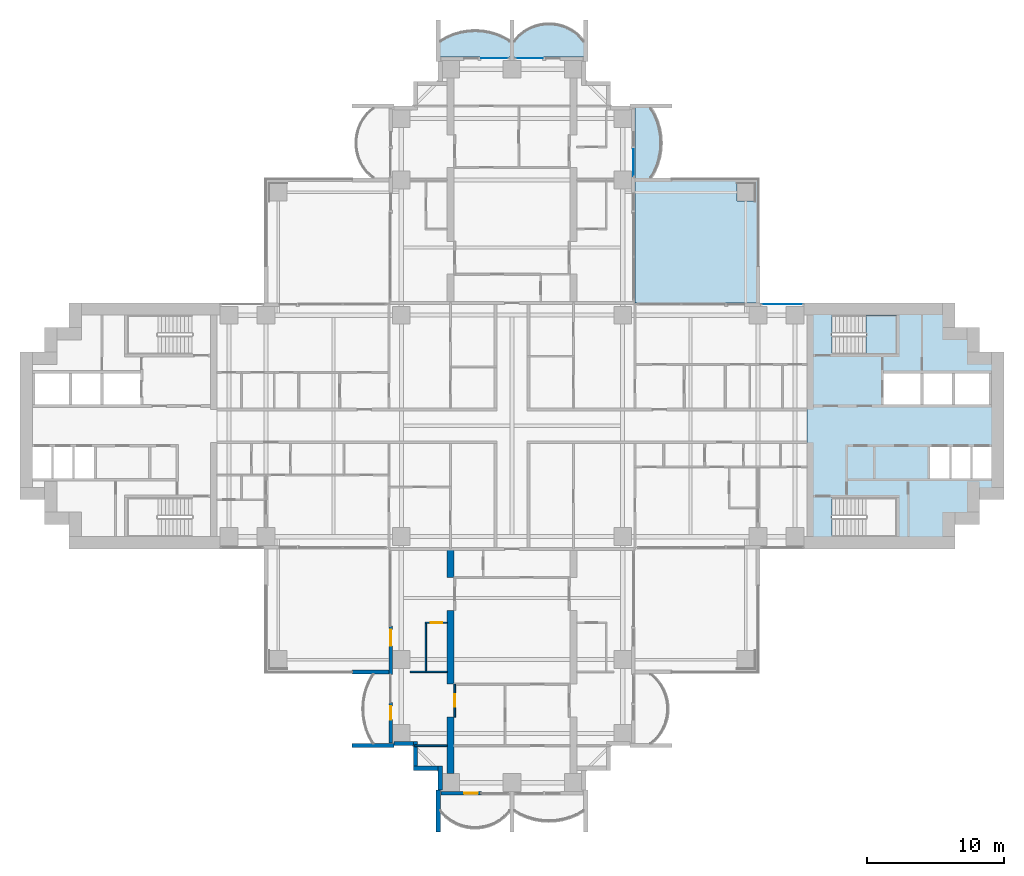
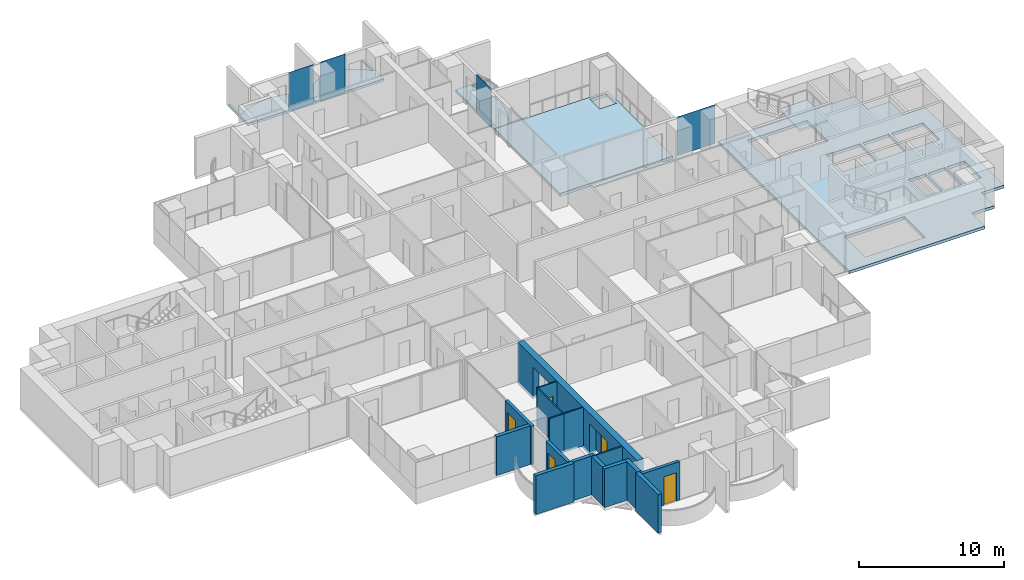
# One storey, part 9 of 21: 17 walls, 6 slabs, 5 doors, 4 plates, 5 openings, 5 elements without a shape of their own.
"""IFC4 building model written with IfcOpenShell, lengths in metres."""

from ifc_helpers import new_model, si_unit, direction, frame, frame_2d, origin, origin_2d, place, context, subcontext, project, spatial, polyline, rectangle, outline, extrude, material, layer, layer_set, material_profile, profile_set, type_object, element, fill, aggregate, save


model = new_model("IFC4")

# Units and contexts
model_context = context("Model", 3, precision=1e-05, world=origin(), true_north=direction((0.0, 1.0)))
body_context = subcontext(model_context, "Body", "Model", "MODEL_VIEW")
ifc_project = project(units=[si_unit("LENGTHUNIT", "METRE"), si_unit("AREAUNIT", "SQUARE_METRE"), si_unit("VOLUMEUNIT", "CUBIC_METRE"), si_unit("PLANEANGLEUNIT", "RADIAN"), si_unit("MASSUNIT", "GRAM", prefix="KILO")], contexts=[model_context])

# Site, building, storey
site_placement = place(None, origin())
site = spatial("IfcSite", under=ifc_project, at=site_placement, CompositionType="ELEMENT")
building_placement = place(site_placement, origin())
building = spatial("IfcBuilding", under=site, at=building_placement, Name="Perihelion Cross Residences", CompositionType="ELEMENT")
storey_placement = place(building_placement, frame((0.0, 0.0, 64.5)))
storey = spatial("IfcBuildingStorey", under=building, at=storey_placement, Name="L13", CompositionType="ELEMENT", Elevation=64.5)

# Slabs
ifc_material_1 = material(Name="Concrete C40/50", Category="concrete")
ifc_layer_1 = layer(ifc_material_1, 0.199951171875)
ifc_layer_set_1 = layer_set([ifc_layer_1], Name="Balcony slab 200")
slab_type_1 = type_object("IfcSlabType", Name="Balcony slab 200", PredefinedType="FLOOR", material=ifc_layer_set_1)
slab_1_placement = place(storey_placement, frame((0.0, 0.0, -0.199951171875)))
element("IfcSlab", 1, at=slab_1_placement, inside=storey, type_object=slab_type_1, Name="Slab BK1 L13 north side east bay 2 balcony", PredefinedType="FLOOR", context=body_context, shape_type="SweptSolid", body=[
    extrude(outline(polyline([(9.0, 18.0), (9.0, 23.39990234375), (11.699951171875, 23.39990234375), (11.699951171875, 23.25), (10.199951171875, 23.25), (10.4853515625, 22.739990234375), (10.694580078125, 22.22998046875), (10.838134765625, 21.719970703125), (10.92236328125, 21.2099609375), (10.949951171875, 20.699951171875), (10.92236328125, 20.18994140625), (10.838134765625, 19.679931640625), (10.694580078125, 19.169921875), (10.4853515625, 18.659912109375), (10.199951171875, 18.14990234375), (11.699951171875, 18.14990234375), (11.699951171875, 18.0), (9.0, 18.0)])), origin(), (0.0, 0.0, 1.0), 0.199951171875),
])
slab_2_placement = place(storey_placement, frame((0.0, 0.0, -0.199951171875)))
element("IfcSlab", 2, at=slab_2_placement, inside=storey, type_object=slab_type_1, Name="Slab BK1 L13 north tip north bay 1 balcony", PredefinedType="FLOOR", context=body_context, shape_type="SweptSolid", body=[
    extrude(outline(polyline([(5.39990234375, 27.0), (0.0, 27.0), (0.0, 29.699951171875), (0.14990234375, 29.699951171875), (0.14990234375, 28.199951171875), (0.542236328125, 28.622314453125), (0.9345703125, 28.924072265625), (1.326904296875, 29.143310546875), (1.71923828125, 29.29736328125), (2.111572265625, 29.39599609375), (2.50390625, 29.444091796875), (2.896240234375, 29.444091796875), (3.28857421875, 29.39599609375), (3.6806640625, 29.29736328125), (4.072998046875, 29.143310546875), (4.46533203125, 28.924072265625), (4.857666015625, 28.622314453125), (5.25, 28.199951171875), (5.25, 29.699951171875), (5.39990234375, 29.699951171875), (5.39990234375, 27.0)])), origin(), (0.0, 0.0, 1.0), 0.199951171875),
])
slab_3_placement = place(storey_placement, frame((0.0, 0.0, -0.199951171875)))
element("IfcSlab", 3, at=slab_3_placement, inside=storey, type_object=slab_type_1, Name="Slab BK1 L13 north tip north bay 2 balcony", PredefinedType="FLOOR", context=body_context, shape_type="SweptSolid", body=[
    extrude(outline(polyline([(0.0, 27.0), (-5.39990234375, 27.0), (-5.39990234375, 29.699951171875), (-5.25, 29.699951171875), (-5.25, 28.199951171875), (-4.739990234375, 28.4853515625), (-4.22998046875, 28.694580078125), (-3.719970703125, 28.838134765625), (-3.2099609375, 28.92236328125), (-2.699951171875, 28.949951171875), (-2.18994140625, 28.92236328125), (-1.679931640625, 28.838134765625), (-1.169921875, 28.694580078125), (-0.659912109375, 28.4853515625), (-0.14990234375, 28.199951171875), (-0.14990234375, 29.699951171875), (0.0, 29.699951171875), (0.0, 27.0)])), origin(), (0.0, 0.0, 1.0), 0.199951171875),
])

# Curtain wall, plate
ifc_material_2 = material(Name="Bronze anodised aluminium, tinted glazing", Category="aluminium")
curtain_wall_type = type_object("IfcCurtainWallType", Name="CW1", PredefinedType="NOTDEFINED", material=ifc_material_2)
curtain_wall_1_placement = place(storey_placement, origin())
curtain_wall_1 = element("IfcCurtainWall", 4, at=curtain_wall_1_placement, inside=storey, type_object=curtain_wall_type, Name="Curtain wall CW1 L13 east side north bay 1", PredefinedType="NOTDEFINED")
ifc_material_3 = material(Name="Tinted laminated glass", Category="glass")
ifc_layer_2 = layer(ifc_material_3, 0.028076171875)
ifc_layer_set_2 = layer_set([ifc_layer_2], Name="CW1 panel")
plate_type = type_object("IfcPlateType", Name="CW1 panel", PredefinedType="CURTAIN_PANEL", material=ifc_layer_set_2)
plate_1_placement = place(storey_placement, frame((19.77490234375, 8.89990234375, 0.0), z_axis=(0.0, 0.0, 1.0), x_axis=(-1.0, 0.0, 0.0)))
plate_1 = element("IfcPlate", 5, at=plate_1_placement, type_object=plate_type, Name="CW1 panel 1", PredefinedType="CURTAIN_PANEL", context=body_context, shape_type="SweptSolid", body=[
    extrude(rectangle(XDim=3.030029296875, YDim=0.028076171875, at=origin_2d()), origin(), (0.0, 0.0, 1.0), 3.25),
])
aggregate(curtain_wall_1, [plate_1])

curtain_wall_2_placement = place(storey_placement, origin())
curtain_wall_2 = element("IfcCurtainWall", 6, at=curtain_wall_2_placement, inside=storey, type_object=curtain_wall_type, Name="Curtain wall CW1 L13 north side east bay 2", PredefinedType="NOTDEFINED")
plate_2_placement = place(storey_placement, frame((8.89990234375, 19.2548828125, 0.0), z_axis=(0.0, 0.0, 1.0), x_axis=(0.0, 1.0, 0.0)))
plate_2 = element("IfcPlate", 7, at=plate_2_placement, type_object=plate_type, Name="CW1 panel 1", PredefinedType="CURTAIN_PANEL", context=body_context, shape_type="SweptSolid", body=[
    extrude(rectangle(XDim=1.989990234375, YDim=0.028076171875, at=origin_2d()), origin(), (0.0, 0.0, 1.0), 3.25),
])
aggregate(curtain_wall_2, [plate_2])

curtain_wall_3_placement = place(storey_placement, origin())
curtain_wall_3 = element("IfcCurtainWall", 8, at=curtain_wall_3_placement, inside=storey, type_object=curtain_wall_type, Name="Curtain wall CW1 L13 north tip north bay 1", PredefinedType="NOTDEFINED")
plate_3_placement = place(storey_placement, frame((1.2548828125, 26.89990234375, 0.0), z_axis=(0.0, 0.0, 1.0), x_axis=(-1.0, 0.0, 0.0)))
plate_3 = element("IfcPlate", 9, at=plate_3_placement, type_object=plate_type, Name="CW1 panel 1", PredefinedType="CURTAIN_PANEL", context=body_context, shape_type="SweptSolid", body=[
    extrude(rectangle(XDim=1.989990234375, YDim=0.028076171875, at=origin_2d()), origin(), (0.0, 0.0, 1.0), 3.25),
])
aggregate(curtain_wall_3, [plate_3])

curtain_wall_4_placement = place(storey_placement, origin())
curtain_wall_4 = element("IfcCurtainWall", 10, at=curtain_wall_4_placement, inside=storey, type_object=curtain_wall_type, Name="Curtain wall CW1 L13 north tip north bay 2", PredefinedType="NOTDEFINED")
plate_4_placement = place(storey_placement, frame((-1.2548828125, 26.89990234375, 0.0), z_axis=(0.0, 0.0, 1.0), x_axis=(-1.0, 0.0, 0.0)))
plate_4 = element("IfcPlate", 11, at=plate_4_placement, type_object=plate_type, Name="CW1 panel 1", PredefinedType="CURTAIN_PANEL", context=body_context, shape_type="SweptSolid", body=[
    extrude(rectangle(XDim=1.989990234375, YDim=0.028076171875, at=origin_2d()), origin(), (0.0, 0.0, 1.0), 3.25),
])
aggregate(curtain_wall_4, [plate_4])

# Slabs
ifc_material_4 = material(Name="Concrete C40/50", Category="concrete")
ifc_layer_3 = layer(ifc_material_4, 0.25)
ifc_layer_set_3 = layer_set([ifc_layer_3], Name="Core floor slab 250")
slab_type_2 = type_object("IfcSlabType", Name="Core floor slab 250", PredefinedType="FLOOR", material=ifc_layer_set_3)
slab_4_placement = place(storey_placement, frame((0.0, 0.0, -0.25)))
element("IfcSlab", 12, at=slab_4_placement, inside=storey, type_object=slab_type_2, Name="East core floor slab", PredefinedType="FLOOR", context=body_context, shape_type="SweptSolid", body=[
    extrude(outline(polyline([(32.39990234375, 7.199951171875), (34.199951171875, 7.199951171875), (34.199951171875, 5.39990234375), (36.0, 5.39990234375), (36.0, -5.39990234375), (34.199951171875, -5.39990234375), (34.199951171875, -7.199951171875), (32.39990234375, -7.199951171875), (32.39990234375, -9.0), (21.60009765625, -9.0), (21.60009765625, 9.0), (32.39990234375, 9.0), (32.39990234375, 7.199951171875)]), holes=[polyline([(23.405029296875, -8.10009765625), (28.14990234375, -8.10009765625), (28.14990234375, -5.25), (23.405029296875, -5.25), (23.405029296875, -8.10009765625)]), polyline([(30.60009765625, -1.550048828125), (30.60009765625, -3.85009765625), (32.0, -3.85009765625), (32.0, -1.550048828125), (30.60009765625, -1.550048828125)]), polyline([(32.14990234375, -1.550048828125), (32.14990234375, -3.85009765625), (33.550048828125, -3.85009765625), (33.550048828125, -1.550048828125), (32.14990234375, -1.550048828125)]), polyline([(33.699951171875, -1.550048828125), (33.699951171875, -3.85009765625), (35.10009765625, -3.85009765625), (35.10009765625, -1.550048828125), (33.699951171875, -1.550048828125)]), polyline([(27.199951171875, 3.85009765625), (27.199951171875, 1.550048828125), (29.89990234375, 1.550048828125), (29.89990234375, 3.85009765625), (27.199951171875, 3.85009765625)]), polyline([(30.10009765625, 3.85009765625), (30.10009765625, 1.550048828125), (32.199951171875, 1.550048828125), (32.199951171875, 3.85009765625), (30.10009765625, 3.85009765625)]), polyline([(32.39990234375, 3.85009765625), (32.39990234375, 1.550048828125), (34.89990234375, 1.550048828125), (34.89990234375, 3.85009765625), (32.39990234375, 3.85009765625)]), polyline([(23.405029296875, 5.25), (28.14990234375, 5.25), (28.14990234375, 8.10009765625), (23.405029296875, 8.10009765625), (23.405029296875, 5.25)])]), origin(), (0.0, 0.0, 1.0), 0.25),
])
ifc_material_5 = material(Name="Concrete C40/50", Category="concrete")
ifc_layer_4 = layer(ifc_material_5, 0.25)
ifc_layer_set_4 = layer_set([ifc_layer_4], Name="Corner terrace slab")
slab_type_3 = type_object("IfcSlabType", Name="Corner terrace slab", PredefinedType="FLOOR", material=ifc_layer_set_4)
slab_5_placement = place(storey_placement, frame((0.0, 0.0, -0.25)))
element("IfcSlab", 13, at=slab_5_placement, inside=storey, type_object=slab_type_3, Name="Slab BK2 L13 pocket north-east", PredefinedType="FLOOR", context=body_context, shape_type="SweptSolid", body=[
    extrude(outline(polyline([(18.0, 9.0), (18.0, 18.0), (9.0, 18.0), (9.0, 9.0), (18.0, 9.0)]), holes=[polyline([(16.449951171875, 16.449951171875), (16.449951171875, 17.7900390625), (17.7900390625, 17.7900390625), (17.7900390625, 16.409912109375), (17.75, 16.409912109375), (17.75, 16.449951171875), (16.449951171875, 16.449951171875)])]), origin(), (0.0, 0.0, 1.0), 0.25),
])

# Stair, slab
ifc_material_6 = material(Name="Concrete C40/50", Category="concrete")
stair_type = type_object("IfcStairType", Name="Exit stair, half-turn", PredefinedType="HALF_TURN_STAIR", material=ifc_material_6)
stair_placement = place(storey_placement, origin())
stair = element("IfcStair", 14, at=stair_placement, inside=storey, type_object=stair_type, Name="L13 East core exit stair 1", PredefinedType="HALF_TURN_STAIR")
ifc_material_7 = material(Name="Concrete C40/50", Category="concrete")
ifc_layer_5 = layer(ifc_material_7, 0.199951171875)
ifc_layer_set_5 = layer_set([ifc_layer_5], Name="Exit stair landing 200")
slab_type_4 = type_object("IfcSlabType", Name="Exit stair landing 200", PredefinedType="LANDING", material=ifc_layer_set_5)
slab_6_placement = place(storey_placement, frame((0.0, 0.0, 1.550048828125)))
slab_6 = element("IfcSlab", 15, at=slab_6_placement, type_object=slab_type_4, Name="ST-E1 landing 1", PredefinedType="LANDING", context=body_context, shape_type="SweptSolid", body=[
    extrude(outline(polyline([(25.919921875, 5.25), (28.14990234375, 5.25), (28.14990234375, 8.10009765625), (25.919921875, 8.10009765625), (25.919921875, 5.25)])), origin(), (0.0, 0.0, 1.0), 0.199951171875),
])
aggregate(stair, [slab_6])

# Wall, opening, door
ifc_material_8 = material(Name="Concrete C30/37, bronze-clad", Category="concrete")
ifc_layer_6 = layer(ifc_material_8, 0.25)
ifc_layer_set_6 = layer_set([ifc_layer_6], Name="Bronze-clad pier wall 250")
wall_type_1 = type_object("IfcWallType", Name="Bronze-clad pier wall 250", PredefinedType="SOLIDWALL", material=ifc_layer_set_6)
wall_1_placement = place(storey_placement, frame((-8.875, -14.64990234375, 0.0), z_axis=(0.0, 0.0, 1.0), x_axis=(0.0, -1.0, 0.0)))
wall_1 = element("IfcWall", 16, at=wall_1_placement, inside=storey, type_object=wall_type_1, Name="Wall FW1 L13 south side west bay 1 pier", PredefinedType="SOLIDWALL", context=body_context, shape_type="SweptSolid", body=[
    extrude(rectangle(XDim=3.550048828125, YDim=0.25, at=frame_2d((1.77490234375, 0.0))), origin(), (0.0, 0.0, 1.0), 3.25),
])
opening_1_placement = place(wall_1_placement, frame((0.25, 0.0, 0.0)))
opening_1 = element("IfcOpeningElement", 17, at=opening_1_placement, cuts=wall_1, Name="Opening L13.E10", PredefinedType="OPENING", context=body_context, shape_type="SweptSolid", body=[
    extrude(rectangle(XDim=1.199951171875, YDim=2.39990234375, at=frame_2d((0.60009765625, 1.199951171875))), frame((0.0, 0.135009765625, 0.0), z_axis=(0.0, -1.0, 0.0), x_axis=(1.0, 0.0, 0.0)), (0.0, 0.0, 1.0), 0.27001953125),
])
ifc_material_9 = material(Name="Bronze anodised aluminium, glazed", Category="aluminium")
door_type_1 = type_object("IfcDoorType", Name="Balcony door 1200 x 2400", OperationType="NOTDEFINED", PredefinedType="DOOR", material=ifc_material_9)
door_1_placement = place(opening_1_placement, origin())
door_1 = element("IfcDoor", 18, at=door_1_placement, inside=storey, type_object=door_type_1, Name="Door L13.E10 south side west bay 1", OperationType="SINGLE_SWING_LEFT", OverallHeight=2.39990234375, OverallWidth=1.199951171875, PredefinedType="DOOR", context=body_context, shape_type="SweptSolid", body=[
    extrude(rectangle(XDim=1.199951171875, YDim=2.39990234375, at=frame_2d((0.60009765625, 1.199951171875))), frame((0.0, 0.02490234375, 0.0), z_axis=(0.0, -1.0, 0.0), x_axis=(1.0, 0.0, 0.0)), (0.0, 0.0, 1.0), 0.050048828125),
])
fill(opening_1, door_1)

wall_2_placement = place(storey_placement, frame((-8.875, -20.25, 0.0), z_axis=(0.0, 0.0, 1.0), x_axis=(0.0, -1.0, 0.0)))
wall_2 = element("IfcWall", 19, at=wall_2_placement, inside=storey, type_object=wall_type_1, Name="Wall FW1 L13 south side west bay 2 pier", PredefinedType="SOLIDWALL", context=body_context, shape_type="SweptSolid", body=[
    extrude(rectangle(XDim=2.949951171875, YDim=0.25, at=frame_2d((1.47509765625, 0.0))), origin(), (0.0, 0.0, 1.0), 3.25),
])
opening_2_placement = place(wall_2_placement, frame((0.25, 0.0, 0.0)))
opening_2 = element("IfcOpeningElement", 20, at=opening_2_placement, cuts=wall_2, Name="Opening L13.E11", PredefinedType="OPENING", context=body_context, shape_type="SweptSolid", body=[
    extrude(rectangle(XDim=1.0, YDim=2.39990234375, at=frame_2d((0.5, 1.199951171875))), frame((0.0, 0.135009765625, 0.0), z_axis=(0.0, -1.0, 0.0), x_axis=(1.0, 0.0, 0.0)), (0.0, 0.0, 1.0), 0.27001953125),
])
ifc_material_10 = material(Name="Bronze anodised aluminium, glazed", Category="aluminium")
door_type_2 = type_object("IfcDoorType", Name="Balcony door 1000 x 2400", OperationType="NOTDEFINED", PredefinedType="DOOR", material=ifc_material_10)
door_2_placement = place(opening_2_placement, origin())
door_2 = element("IfcDoor", 21, at=door_2_placement, inside=storey, type_object=door_type_2, Name="Door L13.E11 south side west bay 2", OperationType="SINGLE_SWING_RIGHT", OverallHeight=2.39990234375, OverallWidth=1.0, PredefinedType="DOOR", context=body_context, shape_type="SweptSolid", body=[
    extrude(rectangle(XDim=1.0, YDim=2.39990234375, at=frame_2d((0.5, 1.199951171875))), frame((0.0, 0.02490234375, 0.0), z_axis=(0.0, -1.0, 0.0), x_axis=(1.0, 0.0, 0.0)), (0.0, 0.0, 1.0), 0.050048828125),
])
fill(opening_2, door_2)

wall_3_placement = place(storey_placement, frame((-5.199951171875, -26.875, 0.0), z_axis=(0.0, 0.0, 1.0), x_axis=(1.0, 0.0, 0.0)))
wall_3 = element("IfcWall", 22, at=wall_3_placement, inside=storey, type_object=wall_type_1, Name="Wall FW1 L13 south tip south bay 1 pier", PredefinedType="SOLIDWALL", context=body_context, shape_type="SweptSolid", body=[
    extrude(rectangle(XDim=2.949951171875, YDim=0.25, at=frame_2d((1.47509765625, 0.0))), origin(), (0.0, 0.0, 1.0), 3.25),
])
opening_3_placement = place(wall_3_placement, frame((1.699951171875, 0.0, 0.0)))
opening_3 = element("IfcOpeningElement", 23, at=opening_3_placement, cuts=wall_3, Name="Opening L13.E12", PredefinedType="OPENING", context=body_context, shape_type="SweptSolid", body=[
    extrude(rectangle(XDim=1.0, YDim=2.39990234375, at=frame_2d((0.5, 1.199951171875))), frame((0.0, 0.135009765625, 0.0), z_axis=(0.0, -1.0, 0.0), x_axis=(1.0, 0.0, 0.0)), (0.0, 0.0, 1.0), 0.27001953125),
])
door_3_placement = place(opening_3_placement, origin())
door_3 = element("IfcDoor", 24, at=door_3_placement, inside=storey, type_object=door_type_2, Name="Door L13.E12 south tip south bay 1", OperationType="SINGLE_SWING_LEFT", OverallHeight=2.39990234375, OverallWidth=1.0, PredefinedType="DOOR", context=body_context, shape_type="SweptSolid", body=[
    extrude(rectangle(XDim=1.0, YDim=2.39990234375, at=frame_2d((0.5, 1.199951171875))), frame((0.0, 0.02490234375, 0.0), z_axis=(0.0, -1.0, 0.0), x_axis=(1.0, 0.0, 0.0)), (0.0, 0.0, 1.0), 0.050048828125),
])
fill(opening_3, door_3)

# Walls
ifc_material_11 = material(Name="Concrete C30/37, bronze-clad", Category="concrete")
ifc_layer_7 = layer(ifc_material_11, 0.300048828125)
ifc_layer_set_7 = layer_set([ifc_layer_7], Name="Bronze-clad serration wall 300")
wall_type_2 = type_object("IfcWallType", Name="Bronze-clad serration wall 300", PredefinedType="SOLIDWALL", material=ifc_layer_set_7)
wall_4_placement = place(storey_placement, frame((-8.64990234375, -23.25, 0.0), z_axis=(0.0, 0.0, 1.0), x_axis=(1.0, 0.0, 0.0)))
element("IfcWall", 25, at=wall_4_placement, inside=storey, type_object=wall_type_2, Name="Wall SR1 L13 south corner south-west 1", PredefinedType="SOLIDWALL", context=body_context, shape_type="SweptSolid", body=[
    extrude(rectangle(XDim=1.449951171875, YDim=0.300048828125, at=frame_2d((0.72509765625, 0.0))), origin(), (0.0, 0.0, 1.0), 3.25),
])
wall_5_placement = place(storey_placement, frame((-7.050048828125, -23.10009765625, 0.0), z_axis=(0.0, 0.0, 1.0), x_axis=(0.0, -1.0, 0.0)))
element("IfcWall", 26, at=wall_5_placement, inside=storey, type_object=wall_type_2, Name="Wall SR1 L13 south corner south-west 2", PredefinedType="SOLIDWALL", context=body_context, shape_type="SweptSolid", body=[
    extrude(rectangle(XDim=1.7998046875, YDim=0.300048828125, at=frame_2d((0.89990234375, 0.0))), origin(), (0.0, 0.0, 1.0), 3.25),
])
wall_6_placement = place(storey_placement, frame((-7.199951171875, -25.050048828125, 0.0), z_axis=(0.0, 0.0, 1.0), x_axis=(1.0, 0.0, 0.0)))
element("IfcWall", 27, at=wall_6_placement, inside=storey, type_object=wall_type_2, Name="Wall SR1 L13 south corner south-west 3", PredefinedType="SOLIDWALL", context=body_context, shape_type="SweptSolid", body=[
    extrude(rectangle(XDim=1.800048828125, YDim=0.300048828125, at=frame_2d((0.89990234375, 0.0))), origin(), (0.0, 0.0, 1.0), 3.25),
])
wall_7_placement = place(storey_placement, frame((-5.25, -24.89990234375, 0.0), z_axis=(0.0, 0.0, 1.0), x_axis=(0.0, -1.0, 0.0)))
element("IfcWall", 28, at=wall_7_placement, inside=storey, type_object=wall_type_2, Name="Wall SR1 L13 south corner south-west 4", PredefinedType="SOLIDWALL", context=body_context, shape_type="SweptSolid", body=[
    extrude(rectangle(XDim=1.75, YDim=0.300048828125, at=frame_2d((0.875, 0.0))), origin(), (0.0, 0.0, 1.0), 3.25),
])

# Wall, opening, door
ifc_material_12 = material(Name="Plasterboard partition")
ifc_layer_8 = layer(ifc_material_12, 0.1201171875)
ifc_layer_set_8 = layer_set([ifc_layer_8], Name="Infill panel 120")
wall_type_3 = type_object("IfcWallType", Name="Infill panel 120", PredefinedType="PARTITIONING", material=ifc_layer_set_8)
wall_8_placement = place(storey_placement, frame((-4.18994140625, -18.89990234375, 0.0), z_axis=(0.0, 0.0, 1.0), x_axis=(0.0, -1.0, 0.0)))
wall_8 = element("IfcWall", 29, at=wall_8_placement, inside=storey, type_object=wall_type_3, Name="Partition L13 WI08", PredefinedType="PARTITIONING", context=body_context, shape_type="SweptSolid", body=[
    extrude(rectangle(XDim=2.400146484375, YDim=0.1201171875, at=frame_2d((1.2001953125, 0.0))), origin(), (0.0, 0.0, 1.0), 2.39990234375),
])
opening_4_placement = place(wall_8_placement, frame((0.75, 0.0, 0.0)))
opening_4 = element("IfcOpeningElement", 30, at=opening_4_placement, cuts=wall_8, Name="Opening L13.A64", PredefinedType="OPENING", context=body_context, shape_type="SweptSolid", body=[
    extrude(rectangle(XDim=0.89990234375, YDim=2.10009765625, at=frame_2d((0.449951171875, 1.050048828125))), frame((0.0, 0.070068359375, 0.0), z_axis=(0.0, -1.0, 0.0), x_axis=(1.0, 0.0, 0.0)), (0.0, 0.0, 1.0), 0.14013671875),
])
ifc_material_13 = material(Name="Timber door leaf", Category="wood")
door_type_3 = type_object("IfcDoorType", Name="Interior room door 900 x 2100", OperationType="SINGLE_SWING_LEFT", PredefinedType="DOOR", material=ifc_material_13)
door_4_placement = place(opening_4_placement, origin())
door_4 = element("IfcDoor", 31, at=door_4_placement, inside=storey, type_object=door_type_3, Name="Door L13.A64", OperationType="SINGLE_SWING_RIGHT", OverallHeight=2.10009765625, OverallWidth=0.89990234375, PredefinedType="DOOR", context=body_context, shape_type="SweptSolid", body=[
    extrude(rectangle(XDim=0.89990234375, YDim=2.10009765625, at=frame_2d((0.449951171875, 1.050048828125))), frame((0.0, 0.02490234375, 0.0), z_axis=(0.0, -1.0, 0.0), x_axis=(1.0, 0.0, 0.0)), (0.0, 0.0, 1.0), 0.050048828125),
])
fill(opening_4, door_4)

# Walls
ifc_material_14 = material(Name="Plasterboard partition")
ifc_layer_9 = layer(ifc_material_14, 0.1201171875)
ifc_layer_set_9 = layer_set([ifc_layer_9], Name="Partition wall 120")
wall_type_4 = type_object("IfcWallType", Name="Partition wall 120", PredefinedType="PARTITIONING", material=ifc_layer_set_9)
wall_9_placement = place(storey_placement, frame((-6.300048828125, -18.0, 0.0), z_axis=(0.0, 0.0, 1.0), x_axis=(-1.0, 0.0, 0.0)))
element("IfcWall", 32, at=wall_9_placement, inside=storey, type_object=wall_type_4, Name="Partition L13 W091", PredefinedType="PARTITIONING", context=body_context, shape_type="SweptSolid", body=[
    extrude(rectangle(XDim=1.14990234375, YDim=0.1201171875, at=frame_2d((0.574951171875, 0.0))), origin(), (0.0, 0.0, 1.0), 3.25),
])
wall_10_placement = place(storey_placement, frame((-4.75, -23.39990234375, 0.0), z_axis=(0.0, 0.0, 1.0), x_axis=(-1.0, 0.0, 0.0)))
element("IfcWall", 33, at=wall_10_placement, inside=storey, type_object=wall_type_4, Name="Partition L13 W093", PredefinedType="PARTITIONING", context=body_context, shape_type="SweptSolid", body=[
    extrude(rectangle(XDim=2.3701171875, YDim=0.1201171875, at=frame_2d((1.18505859375, 0.0))), origin(), (0.0, 0.0, 1.0), 3.25),
])
ifc_material_15 = material(Name="Precast concrete C50/60", Category="concrete")
ifc_layer_10 = layer(ifc_material_15, 0.300048828125)
ifc_layer_set_10 = layer_set([ifc_layer_10], Name="Precast concrete C50/60 blade wall 300")
wall_type_5 = type_object("IfcWallType", Name="Precast concrete C50/60 blade wall 300", PredefinedType="SOLIDWALL", material=ifc_layer_set_10)
wall_11_placement = place(storey_placement, frame((-8.64990234375, -23.39990234375, 0.0), z_axis=(0.0, 0.0, 1.0), x_axis=(-1.0, 0.0, 0.0)))
element("IfcWall", 34, at=wall_11_placement, inside=storey, type_object=wall_type_5, Name="Wall BL1 L13 no. 6", PredefinedType="SOLIDWALL", context=body_context, shape_type="SweptSolid", body=[
    extrude(rectangle(XDim=3.050048828125, YDim=0.300048828125, at=frame_2d((1.52490234375, 0.0))), origin(), (0.0, 0.0, 1.0), 3.25),
])
wall_12_placement = place(storey_placement, frame((-9.0, -18.0, 0.0), z_axis=(0.0, 0.0, 1.0), x_axis=(-1.0, 0.0, 0.0)))
element("IfcWall", 35, at=wall_12_placement, inside=storey, type_object=wall_type_5, Name="Wall BL1 L13 no. 5", PredefinedType="SOLIDWALL", context=body_context, shape_type="SweptSolid", body=[
    extrude(rectangle(XDim=2.699951171875, YDim=0.300048828125, at=frame_2d((1.35009765625, 0.0))), origin(), (0.0, 0.0, 1.0), 3.25),
])
wall_13_placement = place(storey_placement, frame((-5.39990234375, -26.64990234375, 0.0), z_axis=(0.0, 0.0, 1.0), x_axis=(0.0, -1.0, 0.0)))
element("IfcWall", 36, at=wall_13_placement, inside=storey, type_object=wall_type_5, Name="Wall BL1 L13 no. 3", PredefinedType="SOLIDWALL", context=body_context, shape_type="SweptSolid", body=[
    extrude(rectangle(XDim=3.050048828125, YDim=0.300048828125, at=frame_2d((1.52490234375, 0.0))), origin(), (0.0, 0.0, 1.0), 3.25),
])
ifc_material_16 = material(Name="Concrete C60/75", Category="concrete")
ifc_material_profile = material_profile(ifc_material_16, outline(polyline([(0.0, 0.0), (4.14990234375, 0.0), (4.14990234375, 2.64990234375), (6.550048828125, 2.64990234375), (6.550048828125, 0.0), (11.949951171875, 0.0), (11.949951171875, 2.64990234375), (14.35009765625, 2.64990234375), (14.35009765625, 0.0), (16.449951171875, 0.0), (16.449951171875, 3.5), (0.0, 3.5), (0.0, 0.0)])), Name="Tip spine wall")
ifc_profile_set = profile_set([ifc_material_profile], Name="Concrete C60/75")
wall_type_6 = type_object("IfcWallType", Name="Tip spine wall 500 with 2 door openings 16450 long 3500 high concrete C60/75 hand A", PredefinedType="SHEAR", material=ifc_profile_set)
wall_14_placement = place(storey_placement, frame((-4.75, -25.449951171875, -0.25), z_axis=(1.0, 0.0, 0.0), x_axis=(0.0, 1.0, 0.0)))
element("IfcWall", 37, at=wall_14_placement, inside=storey, type_object=wall_type_6, Name="Shear wall SW24 L13 south west", PredefinedType="SHEAR", context=body_context, shape_type="SweptSolid", body=[
    extrude(outline(polyline([(0.0, 0.0), (4.14990234375, 0.0), (4.14990234375, 2.64990234375), (6.550048828125, 2.64990234375), (6.550048828125, 0.0), (11.949951171875, 0.0), (11.949951171875, 2.64990234375), (14.35009765625, 2.64990234375), (14.35009765625, 0.0), (16.449951171875, 0.0), (16.449951171875, 3.5), (0.0, 3.5), (0.0, 0.0)])), origin(), (0.0, 0.0, 1.0), 0.5),
])

# Wall, opening, door
ifc_material_17 = material(Name="Plasterboard partition")
ifc_layer_11 = layer(ifc_material_17, 0.10009765625)
ifc_layer_set_11 = layer_set([ifc_layer_11], Name="Wet room wall 100")
wall_type_7 = type_object("IfcWallType", Name="Wet room wall 100", PredefinedType="PARTITIONING", material=ifc_layer_set_11)
wall_15_placement = place(storey_placement, frame((-4.75, -14.39990234375, 0.0), z_axis=(0.0, 0.0, 1.0), x_axis=(-1.0, 0.0, 0.0)))
wall_15 = element("IfcWall", 38, at=wall_15_placement, inside=storey, type_object=wall_type_7, Name="Partition L13 W089", PredefinedType="PARTITIONING", context=body_context, shape_type="SweptSolid", body=[
    extrude(rectangle(XDim=1.60009765625, YDim=0.10009765625, at=frame_2d((0.800048828125, 0.0))), origin(), (0.0, 0.0, 1.0), 3.25),
])
opening_5_placement = place(wall_15_placement, frame((0.35009765625, 0.0, 0.0)))
opening_5 = element("IfcOpeningElement", 39, at=opening_5_placement, cuts=wall_15, Name="Opening L13.A52", PredefinedType="OPENING", context=body_context, shape_type="SweptSolid", body=[
    extrude(rectangle(XDim=0.85009765625, YDim=2.10009765625, at=frame_2d((0.425048828125, 1.050048828125))), frame((0.0, 0.06005859375, 0.0), z_axis=(0.0, -1.0, 0.0), x_axis=(1.0, 0.0, 0.0)), (0.0, 0.0, 1.0), 0.1201171875),
])
ifc_material_18 = material(Name="Timber door leaf", Category="wood")
door_type_4 = type_object("IfcDoorType", Name="Interior bathroom door 850 x 2100", OperationType="SINGLE_SWING_LEFT", PredefinedType="DOOR", material=ifc_material_18)
door_5_placement = place(opening_5_placement, origin())
door_5 = element("IfcDoor", 40, at=door_5_placement, inside=storey, type_object=door_type_4, Name="Door L13.A52", OperationType="SINGLE_SWING_RIGHT", OverallHeight=2.10009765625, OverallWidth=0.85009765625, PredefinedType="DOOR", context=body_context, shape_type="SweptSolid", body=[
    extrude(rectangle(XDim=0.85009765625, YDim=2.10009765625, at=frame_2d((0.425048828125, 1.050048828125))), frame((0.0, 0.02490234375, 0.0), z_axis=(0.0, -1.0, 0.0), x_axis=(1.0, 0.0, 0.0)), (0.0, 0.0, 1.0), 0.050048828125),
])
fill(opening_5, door_5)

# Walls
wall_16_placement = place(storey_placement, frame((-6.300048828125, -14.449951171875, 0.0), z_axis=(0.0, 0.0, 1.0), x_axis=(0.0, -1.0, 0.0)))
element("IfcWall", 41, at=wall_16_placement, inside=storey, type_object=wall_type_7, Name="Partition L13 W090", PredefinedType="PARTITIONING", context=body_context, shape_type="SweptSolid", body=[
    extrude(rectangle(XDim=3.489990234375, YDim=0.10009765625, at=frame_2d((1.7451171875, 0.0))), origin(), (0.0, 0.0, 1.0), 3.25),
])
wall_17_placement = place(storey_placement, frame((-4.75, -18.0, 0.0), z_axis=(0.0, 0.0, 1.0), x_axis=(-1.0, 0.0, 0.0)))
element("IfcWall", 42, at=wall_17_placement, inside=storey, type_object=wall_type_7, Name="Partition L13 W092", PredefinedType="PARTITIONING", context=body_context, shape_type="SweptSolid", body=[
    extrude(rectangle(XDim=1.550048828125, YDim=0.10009765625, at=frame_2d((0.77490234375, 0.0))), origin(), (0.0, 0.0, 1.0), 3.25),
])

save(model, "model.ifc")
